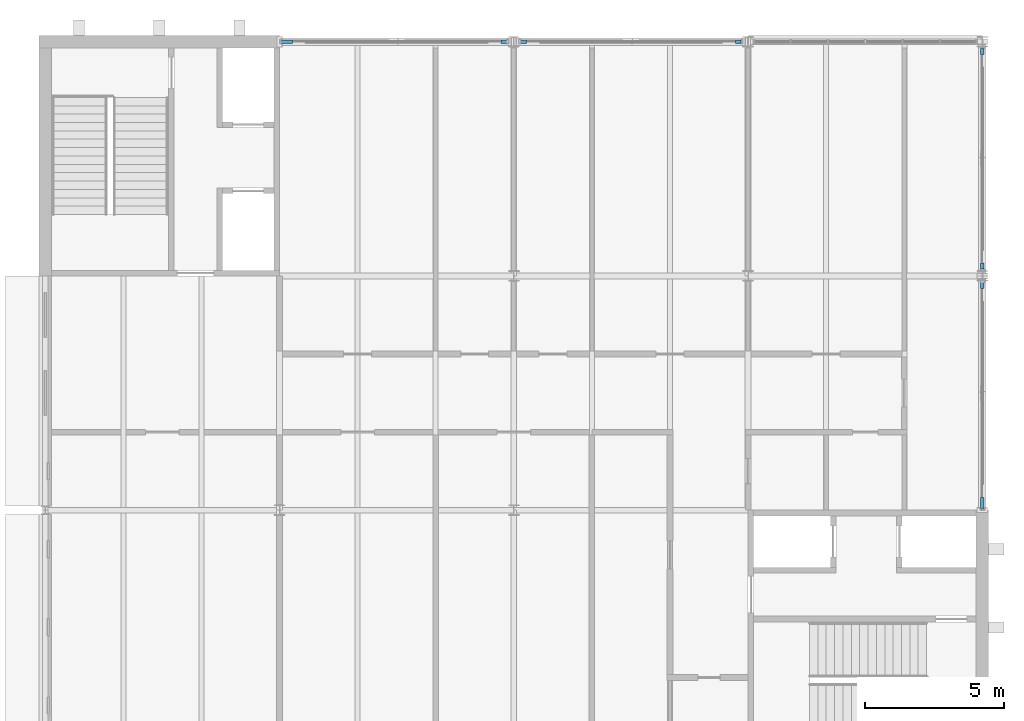
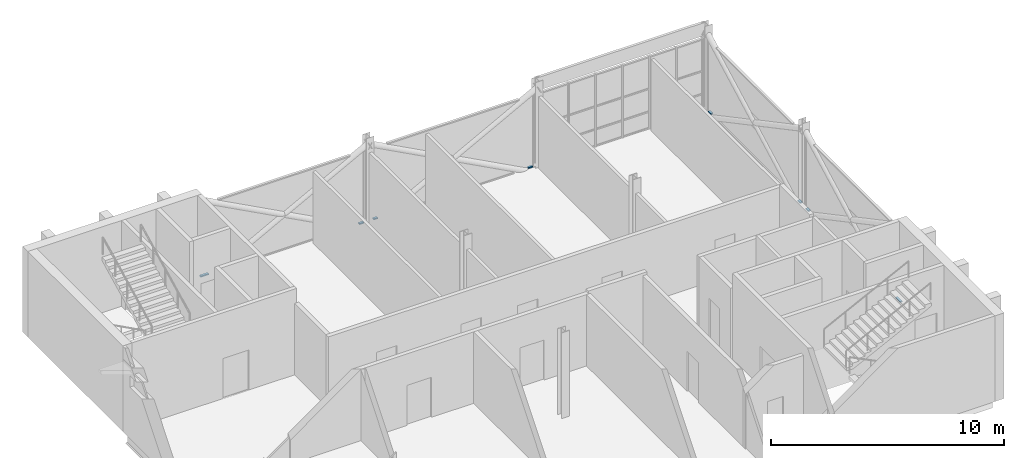
# One storey, part 11 of 22: 8 members, 4 elements without a shape of their own.
"""IFC4 building model written with IfcOpenShell, lengths in metres."""

from ifc_helpers import new_model, si_unit, direction, frame, origin, origin_2d, place, context, subcontext, project, spatial, rectangle, extrude, material, layer, layer_set, material_profile, profile_set, type_object, element, aggregate, save


model = new_model("IFC4")

# Units and contexts
model_context = context("Model", 3, precision=1e-05, world=origin(), true_north=direction((0.0, 1.0)))
body_context = subcontext(model_context, "Body", "Model", "MODEL_VIEW")
ifc_project = project(units=[si_unit("LENGTHUNIT", "METRE"), si_unit("AREAUNIT", "SQUARE_METRE"), si_unit("VOLUMEUNIT", "CUBIC_METRE"), si_unit("PLANEANGLEUNIT", "RADIAN"), si_unit("MASSUNIT", "GRAM", prefix="KILO")], contexts=[model_context])

# Site, building, storey
site_placement = place(None, origin())
site = spatial("IfcSite", under=ifc_project, at=site_placement, CompositionType="ELEMENT")
building_placement = place(site_placement, origin())
building = spatial("IfcBuilding", under=site, at=building_placement, Name="Ardhachandra Cancer Care Centre", CompositionType="ELEMENT")
storey_placement = place(building_placement, frame((0.0, 0.0, 18.0)))
storey = spatial("IfcBuildingStorey", under=building, at=storey_placement, Name="L04", CompositionType="ELEMENT", Elevation=18.0)

# Curtain wall, members
ifc_material_1 = material(Name="Aluminium extrusion", Category="aluminium")
ifc_layer = layer(ifc_material_1, 0.14990234375)
ifc_layer_set = layer_set([ifc_layer], Name="Aluminium extrusion")
curtain_wall_type = type_object("IfcCurtainWallType", Name="Curtain wall run", PredefinedType="NOTDEFINED", material=ifc_layer_set)
curtain_wall_1_placement = place(storey_placement, origin())
curtain_wall_1 = element("IfcCurtainWall", 1, at=curtain_wall_1_placement, inside=storey, type_object=curtain_wall_type, Name="Curtain wall L04 e/0145200_0088200", PredefinedType="NOTDEFINED")
ifc_material_2 = material(Name="Aluminium extrusion", Category="aluminium")
ifc_material_profile = material_profile(ifc_material_2, rectangle(XDim=0.1201171875, YDim=0.06005859375, at=origin_2d()), Name="Curtain wall transom 60 x 120")
ifc_profile_set = profile_set([ifc_material_profile], Name="Aluminium extrusion")
member_type = type_object("IfcMemberType", Name="Curtain wall transom 60 x 120", PredefinedType="USERDEFINED", material=ifc_profile_set)
member_1_placement = place(storey_placement, frame((145.199951171875, 88.260009765625, 0.030029296875), z_axis=(0.0, 1.0, 0.0), x_axis=(-1.0, 0.0, 0.0)))
member_1 = element("IfcMember", 2, at=member_1_placement, type_object=member_type, Name="CW transom 1.1", ObjectType="TRANSOM", PredefinedType="USERDEFINED", context=body_context, shape_type="SweptSolid", body=[
    extrude(rectangle(XDim=0.1201171875, YDim=0.06005859375, at=origin_2d()), origin(), (0.0, 0.0, 1.0), 0.39794921875),
])
member_2_placement = place(storey_placement, frame((145.199951171875, 96.14208984375, 0.030029296875), z_axis=(0.0, 1.0, 0.0), x_axis=(-1.0, 0.0, 0.0)))
member_2 = element("IfcMember", 3, at=member_2_placement, type_object=member_type, Name="CW transom 1.1", ObjectType="TRANSOM", PredefinedType="USERDEFINED", context=body_context, shape_type="SweptSolid", body=[
    extrude(rectangle(XDim=0.1201171875, YDim=0.06005859375, at=origin_2d()), origin(), (0.0, 0.0, 1.0), 0.2158203125),
])
aggregate(curtain_wall_1, [member_1, member_2])

curtain_wall_2_placement = place(storey_placement, origin())
curtain_wall_2 = element("IfcCurtainWall", 4, at=curtain_wall_2_placement, inside=storey, type_object=curtain_wall_type, Name="Curtain wall L04 e/0145200_0096600", PredefinedType="NOTDEFINED")
member_3_placement = place(storey_placement, frame((145.199951171875, 96.842041015625, 0.030029296875), z_axis=(0.0, 1.0, 0.0), x_axis=(-1.0, 0.0, 0.0)))
member_3 = element("IfcMember", 5, at=member_3_placement, type_object=member_type, Name="CW transom 1.1", ObjectType="TRANSOM", PredefinedType="USERDEFINED", context=body_context, shape_type="SweptSolid", body=[
    extrude(rectangle(XDim=0.1201171875, YDim=0.06005859375, at=origin_2d()), origin(), (0.0, 0.0, 1.0), 0.216064453125),
])
member_4_placement = place(storey_placement, frame((145.199951171875, 104.5419921875, 0.030029296875), z_axis=(0.0, 1.0, 0.0), x_axis=(-1.0, 0.0, 0.0)))
member_4 = element("IfcMember", 6, at=member_4_placement, type_object=member_type, Name="CW transom 1.1", ObjectType="TRANSOM", PredefinedType="USERDEFINED", context=body_context, shape_type="SweptSolid", body=[
    extrude(rectangle(XDim=0.1201171875, YDim=0.06005859375, at=origin_2d()), origin(), (0.0, 0.0, 1.0), 0.216064453125),
])
aggregate(curtain_wall_2, [member_3, member_4])

curtain_wall_3_placement = place(storey_placement, origin())
curtain_wall_3 = element("IfcCurtainWall", 7, at=curtain_wall_3_placement, inside=storey, type_object=curtain_wall_type, Name="Curtain wall L04 n/0120000_0105000", PredefinedType="NOTDEFINED")
member_5_placement = place(storey_placement, frame((120.06005859375, 105.0, 0.030029296875), z_axis=(1.0, 0.0, 0.0), x_axis=(0.0, 1.0, 0.0)))
member_5 = element("IfcMember", 8, at=member_5_placement, type_object=member_type, Name="CW transom 1.1", ObjectType="TRANSOM", PredefinedType="USERDEFINED", context=body_context, shape_type="SweptSolid", body=[
    extrude(rectangle(XDim=0.1201171875, YDim=0.06005859375, at=origin_2d()), origin(), (0.0, 0.0, 1.0), 0.39794921875),
])
member_6_placement = place(storey_placement, frame((127.94189453125, 105.0, 0.030029296875), z_axis=(1.0, 0.0, 0.0), x_axis=(0.0, 1.0, 0.0)))
member_6 = element("IfcMember", 9, at=member_6_placement, type_object=member_type, Name="CW transom 1.1", ObjectType="TRANSOM", PredefinedType="USERDEFINED", context=body_context, shape_type="SweptSolid", body=[
    extrude(rectangle(XDim=0.1201171875, YDim=0.06005859375, at=origin_2d()), origin(), (0.0, 0.0, 1.0), 0.212646484375),
])
aggregate(curtain_wall_3, [member_5, member_6])

curtain_wall_4_placement = place(storey_placement, origin())
curtain_wall_4 = element("IfcCurtainWall", 10, at=curtain_wall_4_placement, inside=storey, type_object=curtain_wall_type, Name="Curtain wall L04 n/0128400_0105000", PredefinedType="NOTDEFINED")
member_7_placement = place(storey_placement, frame((128.6455078125, 105.0, 0.030029296875), z_axis=(1.0, 0.0, 0.0), x_axis=(0.0, 1.0, 0.0)))
member_7 = element("IfcMember", 11, at=member_7_placement, type_object=member_type, Name="CW transom 1.1", ObjectType="TRANSOM", PredefinedType="USERDEFINED", context=body_context, shape_type="SweptSolid", body=[
    extrude(rectangle(XDim=0.1201171875, YDim=0.06005859375, at=origin_2d()), origin(), (0.0, 0.0, 1.0), 0.21240234375),
])
member_8_placement = place(storey_placement, frame((136.342041015625, 105.0, 0.030029296875), z_axis=(1.0, 0.0, 0.0), x_axis=(0.0, 1.0, 0.0)))
member_8 = element("IfcMember", 12, at=member_8_placement, type_object=member_type, Name="CW transom 1.1", ObjectType="TRANSOM", PredefinedType="USERDEFINED", context=body_context, shape_type="SweptSolid", body=[
    extrude(rectangle(XDim=0.1201171875, YDim=0.06005859375, at=origin_2d()), origin(), (0.0, 0.0, 1.0), 0.21240234375),
])
aggregate(curtain_wall_4, [member_7, member_8])

save(model, "model.ifc")
